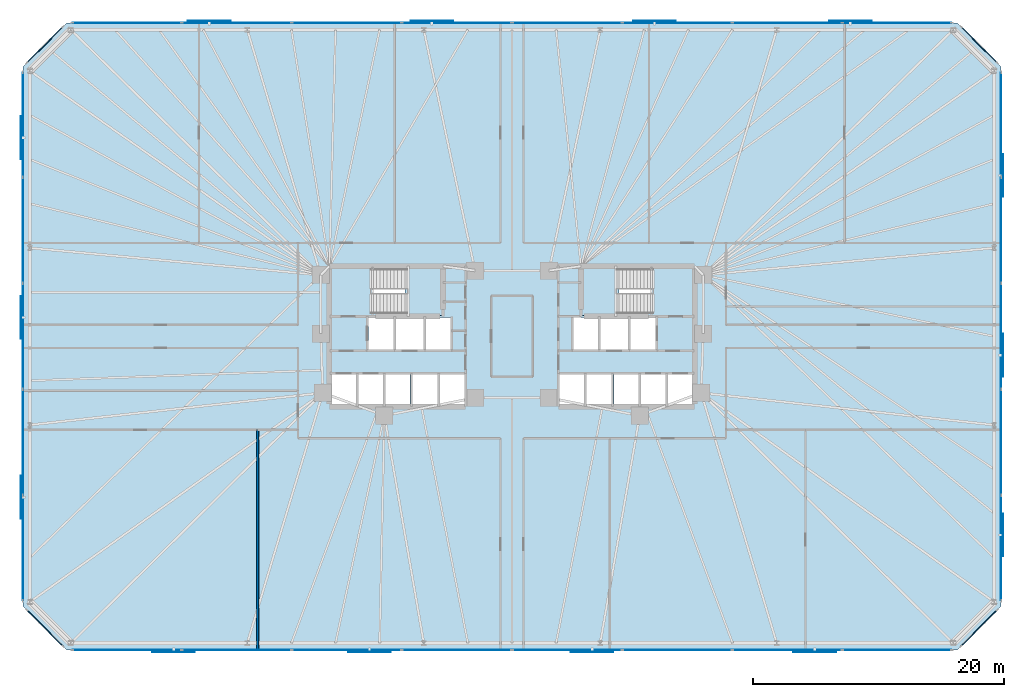
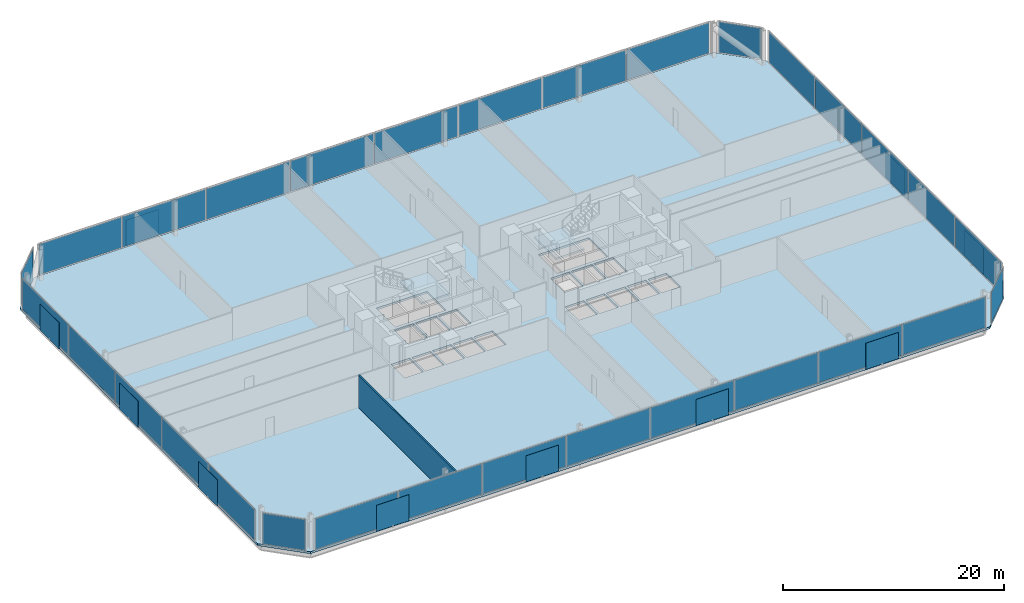
# One storey, part 11 of 17: 44 plates, 3 slabs, 1 wall, 10 elements without a shape of their own.
"""IFC4 building model written with IfcOpenShell, lengths in metres."""

from ifc_helpers import new_model, si_unit, direction, frame, frame_2d, origin, origin_2d, place, context, subcontext, project, spatial, polyline, rectangle, outline, extrude, material, layer, layer_set, type_object, element, aggregate, save


model = new_model("IFC4")

# Units and contexts
model_context = context("Model", 3, precision=1e-05, world=origin(), true_north=direction((0.0, 1.0)))
body_context = subcontext(model_context, "Body", "Model", "MODEL_VIEW")
ifc_project = project(units=[si_unit("LENGTHUNIT", "METRE"), si_unit("AREAUNIT", "SQUARE_METRE"), si_unit("VOLUMEUNIT", "CUBIC_METRE"), si_unit("PLANEANGLEUNIT", "RADIAN"), si_unit("MASSUNIT", "GRAM", prefix="KILO")], contexts=[model_context])

# Site, building, storey
site_placement = place(None, origin())
site = spatial("IfcSite", under=ifc_project, at=site_placement, CompositionType="ELEMENT")
building_placement = place(site_placement, origin())
building = spatial("IfcBuilding", under=site, at=building_placement, Name="Menara Jurai Vektor", CompositionType="ELEMENT")
storey_placement = place(building_placement, frame((0.0, 0.0, 21.800048828125)))
storey = spatial("IfcBuildingStorey", under=building, at=storey_placement, Name="L04", CompositionType="ELEMENT", Elevation=21.800048828125)

# Curtain wall, plates
ifc_material_1 = material(Name="Anodised Pale Aluminium & Low-E Double Glazing", Category="aluminium")
curtain_wall_type = type_object("IfcCurtainWallType", Name="CW-BLK1", PredefinedType="NOTDEFINED", material=ifc_material_1)
curtain_wall_1_placement = place(storey_placement, origin())
curtain_wall_1 = element("IfcCurtainWall", 1, at=curtain_wall_1_placement, inside=storey, type_object=curtain_wall_type, Name="Unitised Curtain Wall L04 F01", PredefinedType="NOTDEFINED")
ifc_material_2 = material(Name="Low-E Solar-Control Double Glazed Unit", Category="glass")
ifc_layer_1 = layer(ifc_material_2, 0.035888671875)
ifc_layer_set_1 = layer_set([ifc_layer_1], Name="Low-E Solar-Control Double Glazed Unit")
plate_type_1 = type_object("IfcPlateType", Name="CW-BLK1-PNL", PredefinedType="CURTAIN_PANEL", material=ifc_layer_set_1)
plate_1_placement = place(storey_placement, frame((-30.706298828125, -25.0, 0.0947265625), z_axis=(0.0, 0.0, 1.0), x_axis=(1.0, 0.0, 0.0)))
plate_1 = element("IfcPlate", 2, at=plate_1_placement, type_object=plate_type_1, Name="CW-01 panel 1.1", PredefinedType="CURTAIN_PANEL", context=body_context, shape_type="SweptSolid", body=[
    extrude(rectangle(XDim=8.637451171875, YDim=0.035888671875, at=origin_2d()), origin(), (0.0, 0.0, 1.0), 3.385009765625),
])
plate_2_placement = place(storey_placement, frame((-21.949951171875, -25.0, 0.0947265625), z_axis=(0.0, 0.0, 1.0), x_axis=(1.0, 0.0, 0.0)))
plate_2 = element("IfcPlate", 3, at=plate_2_placement, type_object=plate_type_1, Name="CW-01 panel 2.1", PredefinedType="CURTAIN_PANEL", context=body_context, shape_type="SweptSolid", body=[
    extrude(rectangle(XDim=8.68505859375, YDim=0.035888671875, at=origin_2d()), origin(), (0.0, 0.0, 1.0), 3.385009765625),
])
plate_3_placement = place(storey_placement, frame((-13.169921875, -25.0, 0.0947265625), z_axis=(0.0, 0.0, 1.0), x_axis=(1.0, 0.0, 0.0)))
plate_3 = element("IfcPlate", 4, at=plate_3_placement, type_object=plate_type_1, Name="CW-01 panel 3.1", PredefinedType="CURTAIN_PANEL", context=body_context, shape_type="SweptSolid", body=[
    extrude(rectangle(XDim=8.68505859375, YDim=0.035888671875, at=origin_2d()), origin(), (0.0, 0.0, 1.0), 3.385009765625),
])
plate_4_placement = place(storey_placement, frame((-4.389892578125, -25.0, 0.0947265625), z_axis=(0.0, 0.0, 1.0), x_axis=(1.0, 0.0, 0.0)))
plate_4 = element("IfcPlate", 5, at=plate_4_placement, type_object=plate_type_1, Name="CW-01 panel 4.1", PredefinedType="CURTAIN_PANEL", context=body_context, shape_type="SweptSolid", body=[
    extrude(rectangle(XDim=8.68505859375, YDim=0.035888671875, at=origin_2d()), origin(), (0.0, 0.0, 1.0), 3.385009765625),
])
plate_5_placement = place(storey_placement, frame((4.389892578125, -25.0, 0.0947265625), z_axis=(0.0, 0.0, 1.0), x_axis=(1.0, 0.0, 0.0)))
plate_5 = element("IfcPlate", 6, at=plate_5_placement, type_object=plate_type_1, Name="CW-01 panel 5.1", PredefinedType="CURTAIN_PANEL", context=body_context, shape_type="SweptSolid", body=[
    extrude(rectangle(XDim=8.68505859375, YDim=0.035888671875, at=origin_2d()), origin(), (0.0, 0.0, 1.0), 3.385009765625),
])
plate_6_placement = place(storey_placement, frame((13.169921875, -25.0, 0.0947265625), z_axis=(0.0, 0.0, 1.0), x_axis=(1.0, 0.0, 0.0)))
plate_6 = element("IfcPlate", 7, at=plate_6_placement, type_object=plate_type_1, Name="CW-01 panel 6.1", PredefinedType="CURTAIN_PANEL", context=body_context, shape_type="SweptSolid", body=[
    extrude(rectangle(XDim=8.68505859375, YDim=0.035888671875, at=origin_2d()), origin(), (0.0, 0.0, 1.0), 3.385009765625),
])
plate_7_placement = place(storey_placement, frame((21.949951171875, -25.0, 0.0947265625), z_axis=(0.0, 0.0, 1.0), x_axis=(1.0, 0.0, 0.0)))
plate_7 = element("IfcPlate", 8, at=plate_7_placement, type_object=plate_type_1, Name="CW-01 panel 7.1", PredefinedType="CURTAIN_PANEL", context=body_context, shape_type="SweptSolid", body=[
    extrude(rectangle(XDim=8.68505859375, YDim=0.035888671875, at=origin_2d()), origin(), (0.0, 0.0, 1.0), 3.385009765625),
])
plate_8_placement = place(storey_placement, frame((30.706298828125, -25.0, 0.0947265625), z_axis=(0.0, 0.0, 1.0), x_axis=(1.0, 0.0, 0.0)))
plate_8 = element("IfcPlate", 9, at=plate_8_placement, type_object=plate_type_1, Name="CW-01 panel 8.1", PredefinedType="CURTAIN_PANEL", context=body_context, shape_type="SweptSolid", body=[
    extrude(rectangle(XDim=8.637451171875, YDim=0.035888671875, at=origin_2d()), origin(), (0.0, 0.0, 1.0), 3.385009765625),
])
aggregate(curtain_wall_1, [plate_1, plate_2, plate_3, plate_4, plate_5, plate_6, plate_7, plate_8])

curtain_wall_2_placement = place(storey_placement, origin())
curtain_wall_2 = element("IfcCurtainWall", 10, at=curtain_wall_2_placement, inside=storey, type_object=curtain_wall_type, Name="Unitised Curtain Wall L04 F03", PredefinedType="NOTDEFINED")
plate_9_placement = place(storey_placement, frame((39.0, -16.872314453125, 0.0947265625), z_axis=(0.0, 0.0, 1.0), x_axis=(0.0, 1.0, 0.0)))
plate_9 = element("IfcPlate", 11, at=plate_9_placement, type_object=plate_type_1, Name="CW-01 panel 1.1", PredefinedType="CURTAIN_PANEL", context=body_context, shape_type="SweptSolid", body=[
    extrude(rectangle(XDim=8.305419921875, YDim=0.035888671875, at=origin_2d()), origin(), (0.0, 0.0, 1.0), 3.385009765625),
])
plate_10_placement = place(storey_placement, frame((39.0, -8.447998046875, 0.0947265625), z_axis=(0.0, 0.0, 1.0), x_axis=(0.0, 1.0, 0.0)))
plate_10 = element("IfcPlate", 12, at=plate_10_placement, type_object=plate_type_1, Name="CW-01 panel 2.1", PredefinedType="CURTAIN_PANEL", context=body_context, shape_type="SweptSolid", body=[
    extrude(rectangle(XDim=8.35302734375, YDim=0.035888671875, at=origin_2d()), origin(), (0.0, 0.0, 1.0), 3.385009765625),
])
plate_11_placement = place(storey_placement, frame((39.0, 0.0, 0.0947265625), z_axis=(0.0, 0.0, 1.0), x_axis=(0.0, 1.0, 0.0)))
plate_11 = element("IfcPlate", 13, at=plate_11_placement, type_object=plate_type_1, Name="CW-01 panel 3.1", PredefinedType="CURTAIN_PANEL", context=body_context, shape_type="SweptSolid", body=[
    extrude(rectangle(XDim=8.35302734375, YDim=0.035888671875, at=origin_2d()), origin(), (0.0, 0.0, 1.0), 3.385009765625),
])
plate_12_placement = place(storey_placement, frame((39.0, 8.447998046875, 0.0947265625), z_axis=(0.0, 0.0, 1.0), x_axis=(0.0, 1.0, 0.0)))
plate_12 = element("IfcPlate", 14, at=plate_12_placement, type_object=plate_type_1, Name="CW-01 panel 4.1", PredefinedType="CURTAIN_PANEL", context=body_context, shape_type="SweptSolid", body=[
    extrude(rectangle(XDim=8.35302734375, YDim=0.035888671875, at=origin_2d()), origin(), (0.0, 0.0, 1.0), 3.385009765625),
])
plate_13_placement = place(storey_placement, frame((39.0, 16.872314453125, 0.0947265625), z_axis=(0.0, 0.0, 1.0), x_axis=(0.0, 1.0, 0.0)))
plate_13 = element("IfcPlate", 15, at=plate_13_placement, type_object=plate_type_1, Name="CW-01 panel 5.1", PredefinedType="CURTAIN_PANEL", context=body_context, shape_type="SweptSolid", body=[
    extrude(rectangle(XDim=8.305419921875, YDim=0.035888671875, at=origin_2d()), origin(), (0.0, 0.0, 1.0), 3.385009765625),
])
aggregate(curtain_wall_2, [plate_9, plate_10, plate_11, plate_12, plate_13])

curtain_wall_3_placement = place(storey_placement, origin())
curtain_wall_3 = element("IfcCurtainWall", 16, at=curtain_wall_3_placement, inside=storey, type_object=curtain_wall_type, Name="Unitised Curtain Wall L04 F05", PredefinedType="NOTDEFINED")
plate_14_placement = place(storey_placement, frame((30.706298828125, 25.0, 0.0947265625), z_axis=(0.0, 0.0, 1.0), x_axis=(-1.0, 0.0, 0.0)))
plate_14 = element("IfcPlate", 17, at=plate_14_placement, type_object=plate_type_1, Name="CW-01 panel 1.1", PredefinedType="CURTAIN_PANEL", context=body_context, shape_type="SweptSolid", body=[
    extrude(rectangle(XDim=8.637451171875, YDim=0.035888671875, at=origin_2d()), origin(), (0.0, 0.0, 1.0), 3.385009765625),
])
plate_15_placement = place(storey_placement, frame((21.949951171875, 25.0, 0.0947265625), z_axis=(0.0, 0.0, 1.0), x_axis=(-1.0, 0.0, 0.0)))
plate_15 = element("IfcPlate", 18, at=plate_15_placement, type_object=plate_type_1, Name="CW-01 panel 2.1", PredefinedType="CURTAIN_PANEL", context=body_context, shape_type="SweptSolid", body=[
    extrude(rectangle(XDim=8.68505859375, YDim=0.035888671875, at=origin_2d()), origin(), (0.0, 0.0, 1.0), 3.385009765625),
])
plate_16_placement = place(storey_placement, frame((13.169921875, 25.0, 0.0947265625), z_axis=(0.0, 0.0, 1.0), x_axis=(-1.0, 0.0, 0.0)))
plate_16 = element("IfcPlate", 19, at=plate_16_placement, type_object=plate_type_1, Name="CW-01 panel 3.1", PredefinedType="CURTAIN_PANEL", context=body_context, shape_type="SweptSolid", body=[
    extrude(rectangle(XDim=8.68505859375, YDim=0.035888671875, at=origin_2d()), origin(), (0.0, 0.0, 1.0), 3.385009765625),
])
plate_17_placement = place(storey_placement, frame((4.389892578125, 25.0, 0.0947265625), z_axis=(0.0, 0.0, 1.0), x_axis=(-1.0, 0.0, 0.0)))
plate_17 = element("IfcPlate", 20, at=plate_17_placement, type_object=plate_type_1, Name="CW-01 panel 4.1", PredefinedType="CURTAIN_PANEL", context=body_context, shape_type="SweptSolid", body=[
    extrude(rectangle(XDim=8.68505859375, YDim=0.035888671875, at=origin_2d()), origin(), (0.0, 0.0, 1.0), 3.385009765625),
])
plate_18_placement = place(storey_placement, frame((-4.389892578125, 25.0, 0.0947265625), z_axis=(0.0, 0.0, 1.0), x_axis=(-1.0, 0.0, 0.0)))
plate_18 = element("IfcPlate", 21, at=plate_18_placement, type_object=plate_type_1, Name="CW-01 panel 5.1", PredefinedType="CURTAIN_PANEL", context=body_context, shape_type="SweptSolid", body=[
    extrude(rectangle(XDim=8.68505859375, YDim=0.035888671875, at=origin_2d()), origin(), (0.0, 0.0, 1.0), 3.385009765625),
])
plate_19_placement = place(storey_placement, frame((-13.169921875, 25.0, 0.0947265625), z_axis=(0.0, 0.0, 1.0), x_axis=(-1.0, 0.0, 0.0)))
plate_19 = element("IfcPlate", 22, at=plate_19_placement, type_object=plate_type_1, Name="CW-01 panel 6.1", PredefinedType="CURTAIN_PANEL", context=body_context, shape_type="SweptSolid", body=[
    extrude(rectangle(XDim=8.68505859375, YDim=0.035888671875, at=origin_2d()), origin(), (0.0, 0.0, 1.0), 3.385009765625),
])
plate_20_placement = place(storey_placement, frame((-21.949951171875, 25.0, 0.0947265625), z_axis=(0.0, 0.0, 1.0), x_axis=(-1.0, 0.0, 0.0)))
plate_20 = element("IfcPlate", 23, at=plate_20_placement, type_object=plate_type_1, Name="CW-01 panel 7.1", PredefinedType="CURTAIN_PANEL", context=body_context, shape_type="SweptSolid", body=[
    extrude(rectangle(XDim=8.68505859375, YDim=0.035888671875, at=origin_2d()), origin(), (0.0, 0.0, 1.0), 3.385009765625),
])
plate_21_placement = place(storey_placement, frame((-30.706298828125, 25.0, 0.0947265625), z_axis=(0.0, 0.0, 1.0), x_axis=(-1.0, 0.0, 0.0)))
plate_21 = element("IfcPlate", 24, at=plate_21_placement, type_object=plate_type_1, Name="CW-01 panel 8.1", PredefinedType="CURTAIN_PANEL", context=body_context, shape_type="SweptSolid", body=[
    extrude(rectangle(XDim=8.637451171875, YDim=0.035888671875, at=origin_2d()), origin(), (0.0, 0.0, 1.0), 3.385009765625),
])
aggregate(curtain_wall_3, [plate_14, plate_15, plate_16, plate_17, plate_18, plate_19, plate_20, plate_21])

curtain_wall_4_placement = place(storey_placement, origin())
curtain_wall_4 = element("IfcCurtainWall", 25, at=curtain_wall_4_placement, inside=storey, type_object=curtain_wall_type, Name="Unitised Curtain Wall L04 F07", PredefinedType="NOTDEFINED")
plate_22_placement = place(storey_placement, frame((-39.0, 16.872314453125, 0.0947265625), z_axis=(0.0, 0.0, 1.0), x_axis=(0.0, -1.0, 0.0)))
plate_22 = element("IfcPlate", 26, at=plate_22_placement, type_object=plate_type_1, Name="CW-01 panel 1.1", PredefinedType="CURTAIN_PANEL", context=body_context, shape_type="SweptSolid", body=[
    extrude(rectangle(XDim=8.305419921875, YDim=0.035888671875, at=origin_2d()), origin(), (0.0, 0.0, 1.0), 3.385009765625),
])
plate_23_placement = place(storey_placement, frame((-39.0, 8.447998046875, 0.0947265625), z_axis=(0.0, 0.0, 1.0), x_axis=(0.0, -1.0, 0.0)))
plate_23 = element("IfcPlate", 27, at=plate_23_placement, type_object=plate_type_1, Name="CW-01 panel 2.1", PredefinedType="CURTAIN_PANEL", context=body_context, shape_type="SweptSolid", body=[
    extrude(rectangle(XDim=8.35302734375, YDim=0.035888671875, at=origin_2d()), origin(), (0.0, 0.0, 1.0), 3.385009765625),
])
plate_24_placement = place(storey_placement, frame((-39.0, 0.0, 0.0947265625), z_axis=(0.0, 0.0, 1.0), x_axis=(0.0, -1.0, 0.0)))
plate_24 = element("IfcPlate", 28, at=plate_24_placement, type_object=plate_type_1, Name="CW-01 panel 3.1", PredefinedType="CURTAIN_PANEL", context=body_context, shape_type="SweptSolid", body=[
    extrude(rectangle(XDim=8.35302734375, YDim=0.035888671875, at=origin_2d()), origin(), (0.0, 0.0, 1.0), 3.385009765625),
])
plate_25_placement = place(storey_placement, frame((-39.0, -8.447998046875, 0.0947265625), z_axis=(0.0, 0.0, 1.0), x_axis=(0.0, -1.0, 0.0)))
plate_25 = element("IfcPlate", 29, at=plate_25_placement, type_object=plate_type_1, Name="CW-01 panel 4.1", PredefinedType="CURTAIN_PANEL", context=body_context, shape_type="SweptSolid", body=[
    extrude(rectangle(XDim=8.35302734375, YDim=0.035888671875, at=origin_2d()), origin(), (0.0, 0.0, 1.0), 3.385009765625),
])
plate_26_placement = place(storey_placement, frame((-39.0, -16.872314453125, 0.0947265625), z_axis=(0.0, 0.0, 1.0), x_axis=(0.0, -1.0, 0.0)))
plate_26 = element("IfcPlate", 30, at=plate_26_placement, type_object=plate_type_1, Name="CW-01 panel 5.1", PredefinedType="CURTAIN_PANEL", context=body_context, shape_type="SweptSolid", body=[
    extrude(rectangle(XDim=8.305419921875, YDim=0.035888671875, at=origin_2d()), origin(), (0.0, 0.0, 1.0), 3.385009765625),
])
aggregate(curtain_wall_4, [plate_22, plate_23, plate_24, plate_25, plate_26])

# Curtain wall, plate
curtain_wall_5_placement = place(storey_placement, origin())
curtain_wall_5 = element("IfcCurtainWall", 31, at=curtain_wall_5_placement, inside=storey, type_object=curtain_wall_type, Name="Unitised Curtain Wall L04 F02", PredefinedType="NOTDEFINED")
ifc_material_3 = material(Name="Insulated Pale Aluminium Spandrel Panel", Category="aluminium")
ifc_layer_2 = layer(ifc_material_3, 0.06005859375)
ifc_layer_set_2 = layer_set([ifc_layer_2], Name="Insulated Pale Aluminium Spandrel Panel")
plate_type_2 = type_object("IfcPlateType", Name="CW-PNL-SP", PredefinedType="CURTAIN_PANEL", material=ifc_layer_set_2)
plate_27_placement = place(storey_placement, frame((37.25, -23.25, 0.0947265625), z_axis=(0.0, 0.0, 1.0), x_axis=(0.707106781187, 0.707106781187, 0.0)))
plate_27 = element("IfcPlate", 32, at=plate_27_placement, type_object=plate_type_2, Name="CW-01 panel 1.1", PredefinedType="CURTAIN_PANEL", context=body_context, shape_type="SweptSolid", body=[
    extrude(rectangle(XDim=3.999755859375, YDim=0.06005859375, at=origin_2d()), origin(), (0.0, 0.0, 1.0), 3.385009765625),
])
aggregate(curtain_wall_5, [plate_27])

curtain_wall_6_placement = place(storey_placement, origin())
curtain_wall_6 = element("IfcCurtainWall", 33, at=curtain_wall_6_placement, inside=storey, type_object=curtain_wall_type, Name="Unitised Curtain Wall L04 F04", PredefinedType="NOTDEFINED")
plate_28_placement = place(storey_placement, frame((37.25, 23.25, 0.0947265625), z_axis=(0.0, 0.0, 1.0), x_axis=(-0.707106781187, 0.707106781187, 0.0)))
plate_28 = element("IfcPlate", 34, at=plate_28_placement, type_object=plate_type_2, Name="CW-01 panel 1.1", PredefinedType="CURTAIN_PANEL", context=body_context, shape_type="SweptSolid", body=[
    extrude(rectangle(XDim=3.999755859375, YDim=0.06005859375, at=origin_2d()), origin(), (0.0, 0.0, 1.0), 3.385009765625),
])
aggregate(curtain_wall_6, [plate_28])

curtain_wall_7_placement = place(storey_placement, origin())
curtain_wall_7 = element("IfcCurtainWall", 35, at=curtain_wall_7_placement, inside=storey, type_object=curtain_wall_type, Name="Unitised Curtain Wall L04 F06", PredefinedType="NOTDEFINED")
plate_29_placement = place(storey_placement, frame((-37.25, 23.25, 0.0947265625), z_axis=(0.0, 0.0, 1.0), x_axis=(-0.707106781187, -0.707106781187, 0.0)))
plate_29 = element("IfcPlate", 36, at=plate_29_placement, type_object=plate_type_2, Name="CW-01 panel 1.1", PredefinedType="CURTAIN_PANEL", context=body_context, shape_type="SweptSolid", body=[
    extrude(rectangle(XDim=3.999755859375, YDim=0.06005859375, at=origin_2d()), origin(), (0.0, 0.0, 1.0), 3.385009765625),
])
aggregate(curtain_wall_7, [plate_29])

curtain_wall_8_placement = place(storey_placement, origin())
curtain_wall_8 = element("IfcCurtainWall", 37, at=curtain_wall_8_placement, inside=storey, type_object=curtain_wall_type, Name="Unitised Curtain Wall L04 F08", PredefinedType="NOTDEFINED")
plate_30_placement = place(storey_placement, frame((-37.25, -23.25, 0.0947265625), z_axis=(0.0, 0.0, 1.0), x_axis=(0.707106781187, -0.707106781187, 0.0)))
plate_30 = element("IfcPlate", 38, at=plate_30_placement, type_object=plate_type_2, Name="CW-01 panel 1.1", PredefinedType="CURTAIN_PANEL", context=body_context, shape_type="SweptSolid", body=[
    extrude(rectangle(XDim=3.999755859375, YDim=0.06005859375, at=origin_2d()), origin(), (0.0, 0.0, 1.0), 3.385009765625),
])
aggregate(curtain_wall_8, [plate_30])

# Plates
ifc_material_4 = material(Name="Anodised Pale Aluminium Perforated Screen", Category="aluminium")
ifc_layer_3 = layer(ifc_material_4, 0.02392578125)
ifc_layer_set_3 = layer_set([ifc_layer_3], Name="Anodised Pale Aluminium Perforated Screen")
plate_type_3 = type_object("IfcPlateType", Name="ENV-PLT-SCREEN", PredefinedType="USERDEFINED", material=ifc_layer_set_3)
for number, where, z_axis, x_axis, name in (
    (39, (-26.97998046875, -25.159912109375, -0.050048828125), (0.0, 0.0, 1.0), (1.0, 0.0, 0.0), "Perforated Pale-Metal Solar Screen L04-S01"),
    (40, (-11.360107421875, -25.159912109375, -0.050048828125), (0.0, 0.0, 1.0), (1.0, 0.0, 0.0), "Perforated Pale-Metal Solar Screen L04-S02"),
    (41, (6.389892578125, -25.159912109375, -0.050048828125), (0.0, 0.0, 1.0), (1.0, 0.0, 0.0), "Perforated Pale-Metal Solar Screen L04-S03"),
    (42, (24.139892578125, -25.159912109375, -0.050048828125), (0.0, 0.0, 1.0), (1.0, 0.0, 0.0), "Perforated Pale-Metal Solar Screen L04-S04"),
    (43, (39.159912109375, -15.83837890625, -0.050048828125), (0.0, 0.0, 1.0), (0.0, 1.0, 0.0), "Perforated Pale-Metal Solar Screen L04-S05"),
    (44, (39.159912109375, -1.5048828125, -0.050048828125), (0.0, 0.0, 1.0), (0.0, 1.0, 0.0), "Perforated Pale-Metal Solar Screen L04-S06"),
    (45, (39.159912109375, 12.828369140625, -0.050048828125), (0.0, 0.0, 1.0), (0.0, 1.0, 0.0), "Perforated Pale-Metal Solar Screen L04-S07"),
    (46, (26.97998046875, 25.159912109375, -0.050048828125), (0.0, 0.0, 1.0), (-1.0, 0.0, 0.0), "Perforated Pale-Metal Solar Screen L04-S08"),
    (47, (11.360107421875, 25.159912109375, -0.050048828125), (0.0, 0.0, 1.0), (-1.0, 0.0, 0.0), "Perforated Pale-Metal Solar Screen L04-S09"),
    (48, (-6.389892578125, 25.159912109375, -0.050048828125), (0.0, 0.0, 1.0), (-1.0, 0.0, 0.0), "Perforated Pale-Metal Solar Screen L04-S10"),
    (49, (-24.139892578125, 25.159912109375, -0.050048828125), (0.0, 0.0, 1.0), (-1.0, 0.0, 0.0), "Perforated Pale-Metal Solar Screen L04-S11"),
    (50, (-39.159912109375, 15.83837890625, -0.050048828125), (0.0, 0.0, 1.0), (0.0, -1.0, 0.0), "Perforated Pale-Metal Solar Screen L04-S12"),
    (51, (-39.159912109375, 1.5048828125, -0.050048828125), (0.0, 0.0, 1.0), (0.0, -1.0, 0.0), "Perforated Pale-Metal Solar Screen L04-S13"),
    (52, (-39.159912109375, -12.828369140625, -0.050048828125), (0.0, 0.0, 1.0), (0.0, -1.0, 0.0), "Perforated Pale-Metal Solar Screen L04-S14"),
):
    element("IfcPlate", number, at=place(storey_placement, frame(where, z_axis=z_axis, x_axis=x_axis)), inside=storey, type_object=plate_type_3, Name=name, ObjectType="SCREEN", PredefinedType="USERDEFINED", context=body_context, shape_type="SweptSolid", body=[
        extrude(rectangle(XDim=3.39990234375, YDim=0.02392578125, at=origin_2d()), origin(), (0.0, 0.0, 1.0), 2.89990234375),
    ])

# Stair, slab
ifc_material_5 = material(Name="Concrete C40/50", Category="concrete")
stair_type = type_object("IfcStairType", Name="STAIR-DOGLEG-1500", PredefinedType="HALF_TURN_STAIR", material=ifc_material_5)
stair_1_placement = place(storey_placement, origin())
stair_1 = element("IfcStair", 53, at=stair_1_placement, inside=storey, type_object=stair_type, Name="Protected Exit Stair ST1 L04", PredefinedType="HALF_TURN_STAIR")
ifc_layer_4 = layer(ifc_material_5, 0.199951171875)
ifc_layer_set_4 = layer_set([ifc_layer_4], Name="Concrete C40/50")
slab_type_1 = type_object("IfcSlabType", Name="STAIR-LANDING-200", PredefinedType="LANDING", material=ifc_layer_set_4)
slab_1_placement = place(storey_placement, frame((0.0, 0.0, 1.699951171875)))
slab_1 = element("IfcSlab", 54, at=slab_1_placement, type_object=slab_type_1, Name="ST1 landing 1", PredefinedType="LANDING", context=body_context, shape_type="SweptSolid", body=[
    extrude(outline(polyline([(-8.52001953125, 1.64990234375), (-5.550048828125, 1.64990234375), (-5.550048828125, 5.550048828125), (-8.52001953125, 5.550048828125), (-8.52001953125, 1.64990234375)])), origin(), (0.0, 0.0, 1.0), 0.199951171875),
])
aggregate(stair_1, [slab_1])

stair_2_placement = place(storey_placement, origin())
stair_2 = element("IfcStair", 55, at=stair_2_placement, inside=storey, type_object=stair_type, Name="Protected Exit Stair ST2 L04", PredefinedType="HALF_TURN_STAIR")
slab_2_placement = place(storey_placement, frame((0.0, 0.0, 1.699951171875)))
slab_2 = element("IfcSlab", 56, at=slab_2_placement, type_object=slab_type_1, Name="ST2 landing 1", PredefinedType="LANDING", context=body_context, shape_type="SweptSolid", body=[
    extrude(outline(polyline([(5.550048828125, 1.64990234375), (8.52001953125, 1.64990234375), (8.52001953125, 5.550048828125), (5.550048828125, 5.550048828125), (5.550048828125, 1.64990234375)])), origin(), (0.0, 0.0, 1.0), 0.199951171875),
])
aggregate(stair_2, [slab_2])

# Slab
ifc_layer_5 = layer(ifc_material_5, 0.22509765625)
ifc_layer_set_5 = layer_set([ifc_layer_5], Name="Concrete C40/50")
slab_type_2 = type_object("IfcSlabType", Name="STR-SLAB-TYP200", PredefinedType="FLOOR", material=ifc_layer_set_5)
slab_3_placement = place(storey_placement, frame((0.0, 0.0, -0.22509765625)))
element("IfcSlab", 57, at=slab_3_placement, inside=storey, type_object=slab_type_2, Name="Composite Floor Slab L04", PredefinedType="FLOOR", context=body_context, shape_type="SweptSolid", body=[
    extrude(outline(polyline([(-35.5, -25.0), (35.5, -25.0), (39.0, -21.5), (39.0, 21.5), (35.5, 25.0), (-35.5, 25.0), (-39.0, 21.5), (-39.0, -21.5), (-35.5, -25.0)]), holes=[polyline([(-11.10009765625, 1.89990234375), (-11.10009765625, 5.300048828125), (-5.800048828125, 5.300048828125), (-5.800048828125, 1.89990234375), (-11.10009765625, 1.89990234375)]), polyline([(5.800048828125, 1.89990234375), (5.800048828125, 5.300048828125), (11.10009765625, 5.300048828125), (11.10009765625, 1.89990234375), (5.800048828125, 1.89990234375)]), polyline([(-11.449951171875, -1.050048828125), (-11.449951171875, 1.5), (-9.449951171875, 1.5), (-9.449951171875, -1.050048828125), (-11.449951171875, -1.050048828125)]), polyline([(9.449951171875, -1.050048828125), (9.449951171875, 1.5), (11.449951171875, 1.5), (11.449951171875, -1.050048828125), (9.449951171875, -1.050048828125)]), polyline([(-5.760009765625, -5.5), (-5.760009765625, -3.050048828125), (-3.800048828125, -3.050048828125), (-3.800048828125, -5.5), (-5.760009765625, -5.5)]), polyline([(-6.85009765625, -1.050048828125), (-6.85009765625, 1.5), (-4.889892578125, 1.5), (-4.889892578125, -1.050048828125), (-6.85009765625, -1.050048828125)]), polyline([(3.800048828125, -5.5), (3.800048828125, -3.050048828125), (5.760009765625, -3.050048828125), (5.760009765625, -5.5), (3.800048828125, -5.5)]), polyline([(4.889892578125, -1.050048828125), (4.889892578125, 1.5), (6.85009765625, 1.5), (6.85009765625, -1.050048828125), (4.889892578125, -1.050048828125)]), polyline([(-14.39990234375, -5.5), (-14.39990234375, -3.050048828125), (-12.43994140625, -3.050048828125), (-12.43994140625, -5.5), (-14.39990234375, -5.5)]), polyline([(-12.239990234375, -5.5), (-12.239990234375, -3.050048828125), (-10.280029296875, -3.050048828125), (-10.280029296875, -5.5), (-12.239990234375, -5.5)]), polyline([(10.280029296875, -5.5), (10.280029296875, -3.050048828125), (12.239990234375, -3.050048828125), (12.239990234375, -5.5), (10.280029296875, -5.5)]), polyline([(12.43994140625, -5.5), (12.43994140625, -3.050048828125), (14.39990234375, -3.050048828125), (14.39990234375, -5.5), (12.43994140625, -5.5)]), polyline([(-10.080078125, -5.5), (-10.080078125, -3.050048828125), (-8.1201171875, -3.050048828125), (-8.1201171875, -5.5), (-10.080078125, -5.5)]), polyline([(-7.919921875, -5.5), (-7.919921875, -3.050048828125), (-5.9599609375, -3.050048828125), (-5.9599609375, -5.5), (-7.919921875, -5.5)]), polyline([(5.9599609375, -5.5), (5.9599609375, -3.050048828125), (7.919921875, -3.050048828125), (7.919921875, -5.5), (5.9599609375, -5.5)]), polyline([(8.1201171875, -5.5), (8.1201171875, -3.050048828125), (10.080078125, -3.050048828125), (10.080078125, -5.5), (8.1201171875, -5.5)]), polyline([(-9.25, -1.050048828125), (-9.25, 1.5), (-7.050048828125, 1.5), (-7.050048828125, -1.050048828125), (-9.25, -1.050048828125)]), polyline([(7.050048828125, -1.050048828125), (7.050048828125, 1.5), (9.25, 1.5), (9.25, -1.050048828125), (7.050048828125, -1.050048828125)])]), origin(), (0.0, 0.0, 1.0), 0.22509765625),
])

# Wall
ifc_material_6 = material(Name="Gypsum Fireboard Partition", Category="gypsum")
ifc_layer_6 = layer(ifc_material_6, 0.14990234375)
ifc_layer_set_6 = layer_set([ifc_layer_6], Name="Gypsum Fireboard Partition")
wall_type = type_object("IfcWallType", Name="INT-WALL-CORR-150", PredefinedType="PARTITIONING", material=ifc_layer_set_6)
wall_placement = place(storey_placement, frame((-20.280029296875, -25.0, 0.0), z_axis=(0.0, 0.0, 1.0), x_axis=(0.0, 1.0, 0.0)))
element("IfcWall", 58, at=wall_placement, inside=storey, type_object=wall_type, Name="Interior Wall IW-150 L04", PredefinedType="PARTITIONING", context=body_context, shape_type="SweptSolid", body=[
    extrude(rectangle(XDim=17.550048828125, YDim=0.14990234375, at=frame_2d((8.77490234375, 0.0))), origin(), (0.0, 0.0, 1.0), 3.574951171875),
])

save(model, "model.ifc")
